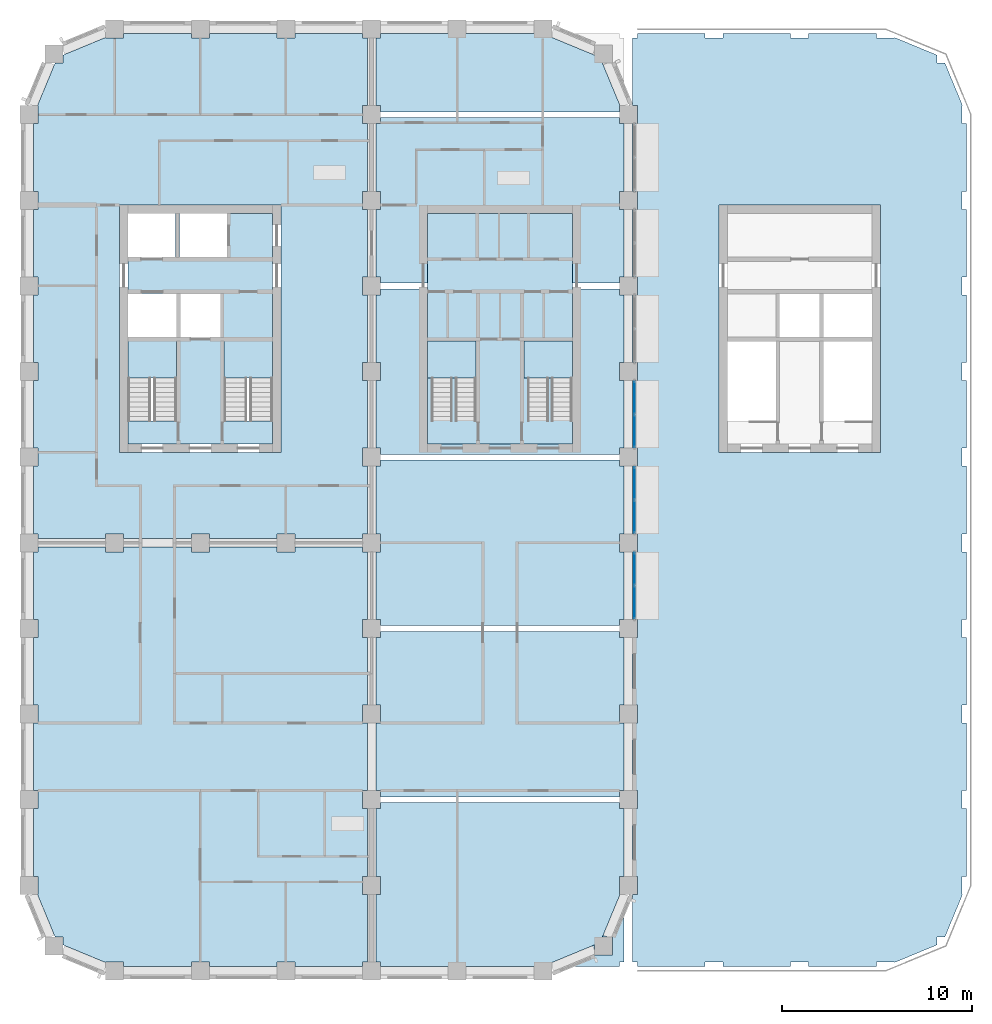
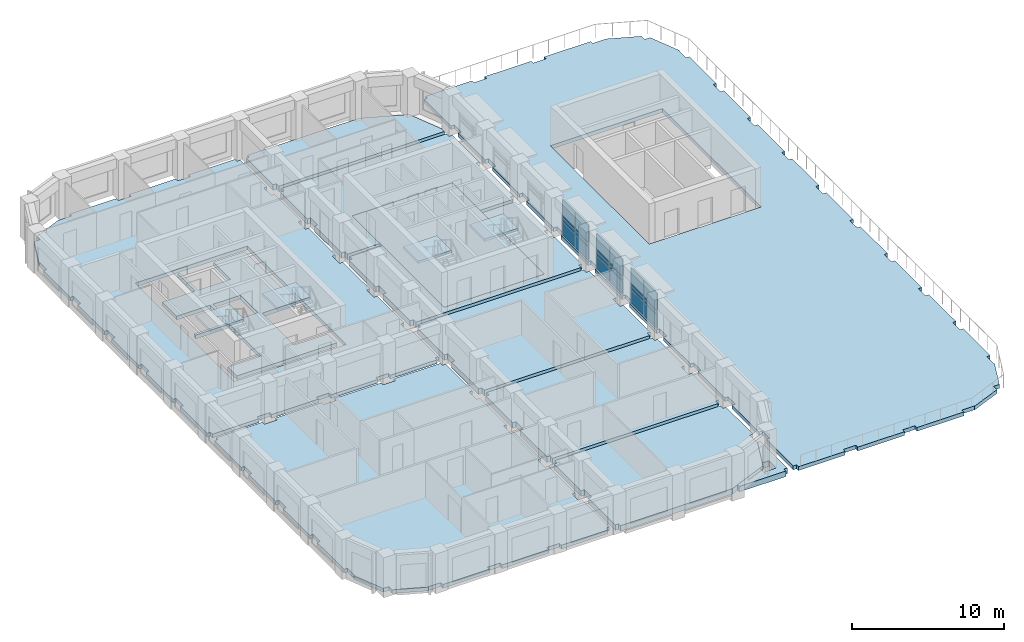
# One storey, part 5 of 15: 18 plates, 16 slabs, 7 elements without a shape of their own.
"""IFC4 building model written with IfcOpenShell, lengths in metres."""

from ifc_helpers import new_model, si_unit, direction, frame, origin, origin_2d, place, context, subcontext, project, spatial, polyline, rectangle, outline, extrude, material, layer, layer_set, type_object, element, aggregate, save


model = new_model("IFC4")

# Units and contexts
model_context = context("Model", 3, precision=1e-05, world=origin(), true_north=direction((0.0, 1.0)))
body_context = subcontext(model_context, "Body", "Model", "MODEL_VIEW")
ifc_project = project(units=[si_unit("LENGTHUNIT", "METRE"), si_unit("AREAUNIT", "SQUARE_METRE"), si_unit("VOLUMEUNIT", "CUBIC_METRE"), si_unit("PLANEANGLEUNIT", "RADIAN"), si_unit("MASSUNIT", "GRAM", prefix="KILO")], contexts=[model_context])

# Site, building, storey
site_placement = place(None, origin())
site = spatial("IfcSite", under=ifc_project, at=site_placement, CompositionType="ELEMENT")
building_placement = place(site_placement, origin())
building = spatial("IfcBuilding", under=site, at=building_placement, Name="Girih Gate Residences", CompositionType="ELEMENT")
storey_placement = place(building_placement, frame((0.0, 0.0, 176.300048828125)))
storey = spatial("IfcBuildingStorey", under=building, at=storey_placement, Name="L48", CompositionType="ELEMENT", Elevation=176.300048828125)

# Slabs
ifc_material_1 = material(Name="Concrete C40/50", Category="concrete")
ifc_layer_1 = layer(ifc_material_1, 0.300048828125)
ifc_layer_set_1 = layer_set([ifc_layer_1], Name="Core floor slab 300")
slab_type_1 = type_object("IfcSlabType", Name="Core floor slab 300", PredefinedType="FLOOR", material=ifc_layer_set_1)
slab_1_placement = place(storey_placement, frame((0.0, 0.0, -0.300048828125)))
element("IfcSlab", 1, at=slab_1_placement, inside=storey, type_object=slab_type_1, Name="L48 W core floor", PredefinedType="FLOOR", context=body_context, shape_type="SweptSolid", body=[
    extrude(outline(polyline([(12.800048828125, 27.699951171875), (5.199951171875, 27.699951171875), (5.199951171875, 28.900634765625), (7.75, 28.900634765625), (7.75, 33.10009765625), (5.199951171875, 33.10009765625), (5.199951171875, 33.300048828125), (7.75, 33.300048828125), (7.75, 35.60009765625), (5.199951171875, 35.60009765625), (5.199951171875, 37.5), (7.699951171875, 37.5), (7.699951171875, 39.800048828125), (7.89990234375, 39.800048828125), (7.89990234375, 37.5), (10.39990234375, 37.5), (10.39990234375, 39.800048828125), (12.800048828125, 39.800048828125), (12.800048828125, 33.10009765625), (10.25, 33.10009765625), (10.25, 28.900634765625), (12.800048828125, 28.900634765625), (12.800048828125, 27.699951171875)]), holes=[polyline([(7.949951171875, 33.300048828125), (10.050048828125, 33.300048828125), (10.050048828125, 35.60009765625), (7.949951171875, 35.60009765625), (7.949951171875, 33.300048828125)])]), origin(), (0.0, 0.0, 1.0), 0.300048828125),
])
slab_2_placement = place(storey_placement, frame((0.0, 0.0, -0.300048828125)))
element("IfcSlab", 2, at=slab_2_placement, inside=storey, type_object=slab_type_1, Name="L48 C core floor", PredefinedType="FLOOR", context=body_context, shape_type="SweptSolid", body=[
    extrude(outline(polyline([(20.949951171875, 27.699951171875), (20.949951171875, 39.800048828125), (28.550048828125, 39.800048828125), (28.550048828125, 27.699951171875), (20.949951171875, 27.699951171875)])), origin(), (0.0, 0.0, 1.0), 0.300048828125),
])

# Curtain wall, plates
ifc_material_2 = material(Name="Aluminium curtain wall frame", Category="aluminium")
curtain_wall_type = type_object("IfcCurtainWallType", Name="Curtain wall CW-3 sky lounge glazing", PredefinedType="NOTDEFINED", material=ifc_material_2)
curtain_wall_1_placement = place(storey_placement, origin())
curtain_wall_1 = element("IfcCurtainWall", 3, at=curtain_wall_1_placement, inside=storey, type_object=curtain_wall_type, Name="CW-3 Sky lounge glazing E0315_0045.3", PredefinedType="NOTDEFINED")
ifc_material_3 = material(Name="Triple glazed unit")
ifc_layer_2 = layer(ifc_material_3, 0.0439453125)
ifc_layer_set_2 = layer_set([ifc_layer_2], Name="Curtain wall glass panel 44")
plate_type = type_object("IfcPlateType", Name="Curtain wall glass panel 44", PredefinedType="CURTAIN_PANEL", material=ifc_layer_set_2)
plate_1_placement = place(storey_placement, frame((31.81494140625, 19.37744140625, 0.059814453125), z_axis=(0.0, 0.0, 1.0), x_axis=(0.0, 1.0, 0.0)))
plate_1 = element("IfcPlate", 4, at=plate_1_placement, type_object=plate_type, Name="CW-3 panel 1.1", PredefinedType="CURTAIN_PANEL", context=body_context, shape_type="SweptSolid", body=[
    extrude(rectangle(XDim=1.68505859375, YDim=0.028076171875, at=origin_2d()), origin(), (0.0, 0.0, 1.0), 1.06005859375),
])
plate_2_placement = place(storey_placement, frame((31.81494140625, 19.37744140625, 1.18017578125), z_axis=(0.0, 0.0, 1.0), x_axis=(0.0, 1.0, 0.0)))
plate_2 = element("IfcPlate", 5, at=plate_2_placement, type_object=plate_type, Name="CW-3 panel 1.2", PredefinedType="CURTAIN_PANEL", context=body_context, shape_type="SweptSolid", body=[
    extrude(rectangle(XDim=1.68505859375, YDim=0.028076171875, at=origin_2d()), origin(), (0.0, 0.0, 1.0), 0.264892578125),
])
plate_3_placement = place(storey_placement, frame((31.81494140625, 19.37744140625, 1.5048828125), z_axis=(0.0, 0.0, 1.0), x_axis=(0.0, 1.0, 0.0)))
plate_3 = element("IfcPlate", 6, at=plate_3_placement, type_object=plate_type, Name="CW-3 panel 1.3", PredefinedType="CURTAIN_PANEL", context=body_context, shape_type="SweptSolid", body=[
    extrude(rectangle(XDim=1.68505859375, YDim=0.028076171875, at=origin_2d()), origin(), (0.0, 0.0, 1.0), 1.385009765625),
])
plate_4_placement = place(storey_placement, frame((31.81494140625, 21.12255859375, 0.059814453125), z_axis=(0.0, 0.0, 1.0), x_axis=(0.0, 1.0, 0.0)))
plate_4 = element("IfcPlate", 7, at=plate_4_placement, type_object=plate_type, Name="CW-3 panel 2.1", PredefinedType="CURTAIN_PANEL", context=body_context, shape_type="SweptSolid", body=[
    extrude(rectangle(XDim=1.68505859375, YDim=0.028076171875, at=origin_2d()), origin(), (0.0, 0.0, 1.0), 1.06005859375),
])
plate_5_placement = place(storey_placement, frame((31.81494140625, 21.12255859375, 1.18017578125), z_axis=(0.0, 0.0, 1.0), x_axis=(0.0, 1.0, 0.0)))
plate_5 = element("IfcPlate", 8, at=plate_5_placement, type_object=plate_type, Name="CW-3 panel 2.2", PredefinedType="CURTAIN_PANEL", context=body_context, shape_type="SweptSolid", body=[
    extrude(rectangle(XDim=1.68505859375, YDim=0.028076171875, at=origin_2d()), origin(), (0.0, 0.0, 1.0), 0.264892578125),
])
plate_6_placement = place(storey_placement, frame((31.81494140625, 21.12255859375, 1.5048828125), z_axis=(0.0, 0.0, 1.0), x_axis=(0.0, 1.0, 0.0)))
plate_6 = element("IfcPlate", 9, at=plate_6_placement, type_object=plate_type, Name="CW-3 panel 2.3", PredefinedType="CURTAIN_PANEL", context=body_context, shape_type="SweptSolid", body=[
    extrude(rectangle(XDim=1.68505859375, YDim=0.028076171875, at=origin_2d()), origin(), (0.0, 0.0, 1.0), 1.385009765625),
])
aggregate(curtain_wall_1, [plate_1, plate_2, plate_3, plate_4, plate_5, plate_6])

curtain_wall_2_placement = place(storey_placement, origin())
curtain_wall_2 = element("IfcCurtainWall", 10, at=curtain_wall_2_placement, inside=storey, type_object=curtain_wall_type, Name="CW-3 Sky lounge glazing E0315_0045.4", PredefinedType="NOTDEFINED")
plate_7_placement = place(storey_placement, frame((31.81494140625, 23.87744140625, 0.059814453125), z_axis=(0.0, 0.0, 1.0), x_axis=(0.0, 1.0, 0.0)))
plate_7 = element("IfcPlate", 11, at=plate_7_placement, type_object=plate_type, Name="CW-3 panel 1.1", PredefinedType="CURTAIN_PANEL", context=body_context, shape_type="SweptSolid", body=[
    extrude(rectangle(XDim=1.68505859375, YDim=0.028076171875, at=origin_2d()), origin(), (0.0, 0.0, 1.0), 1.06005859375),
])
plate_8_placement = place(storey_placement, frame((31.81494140625, 23.87744140625, 1.18017578125), z_axis=(0.0, 0.0, 1.0), x_axis=(0.0, 1.0, 0.0)))
plate_8 = element("IfcPlate", 12, at=plate_8_placement, type_object=plate_type, Name="CW-3 panel 1.2", PredefinedType="CURTAIN_PANEL", context=body_context, shape_type="SweptSolid", body=[
    extrude(rectangle(XDim=1.68505859375, YDim=0.028076171875, at=origin_2d()), origin(), (0.0, 0.0, 1.0), 0.264892578125),
])
plate_9_placement = place(storey_placement, frame((31.81494140625, 23.87744140625, 1.5048828125), z_axis=(0.0, 0.0, 1.0), x_axis=(0.0, 1.0, 0.0)))
plate_9 = element("IfcPlate", 13, at=plate_9_placement, type_object=plate_type, Name="CW-3 panel 1.3", PredefinedType="CURTAIN_PANEL", context=body_context, shape_type="SweptSolid", body=[
    extrude(rectangle(XDim=1.68505859375, YDim=0.028076171875, at=origin_2d()), origin(), (0.0, 0.0, 1.0), 1.385009765625),
])
plate_10_placement = place(storey_placement, frame((31.81494140625, 25.62255859375, 0.059814453125), z_axis=(0.0, 0.0, 1.0), x_axis=(0.0, 1.0, 0.0)))
plate_10 = element("IfcPlate", 14, at=plate_10_placement, type_object=plate_type, Name="CW-3 panel 2.1", PredefinedType="CURTAIN_PANEL", context=body_context, shape_type="SweptSolid", body=[
    extrude(rectangle(XDim=1.68505859375, YDim=0.028076171875, at=origin_2d()), origin(), (0.0, 0.0, 1.0), 1.06005859375),
])
plate_11_placement = place(storey_placement, frame((31.81494140625, 25.62255859375, 1.18017578125), z_axis=(0.0, 0.0, 1.0), x_axis=(0.0, 1.0, 0.0)))
plate_11 = element("IfcPlate", 15, at=plate_11_placement, type_object=plate_type, Name="CW-3 panel 2.2", PredefinedType="CURTAIN_PANEL", context=body_context, shape_type="SweptSolid", body=[
    extrude(rectangle(XDim=1.68505859375, YDim=0.028076171875, at=origin_2d()), origin(), (0.0, 0.0, 1.0), 0.264892578125),
])
plate_12_placement = place(storey_placement, frame((31.81494140625, 25.62255859375, 1.5048828125), z_axis=(0.0, 0.0, 1.0), x_axis=(0.0, 1.0, 0.0)))
plate_12 = element("IfcPlate", 16, at=plate_12_placement, type_object=plate_type, Name="CW-3 panel 2.3", PredefinedType="CURTAIN_PANEL", context=body_context, shape_type="SweptSolid", body=[
    extrude(rectangle(XDim=1.68505859375, YDim=0.028076171875, at=origin_2d()), origin(), (0.0, 0.0, 1.0), 1.385009765625),
])
aggregate(curtain_wall_2, [plate_7, plate_8, plate_9, plate_10, plate_11, plate_12])

curtain_wall_3_placement = place(storey_placement, origin())
curtain_wall_3 = element("IfcCurtainWall", 17, at=curtain_wall_3_placement, inside=storey, type_object=curtain_wall_type, Name="CW-3 Sky lounge glazing E0315_0045.5", PredefinedType="NOTDEFINED")
plate_13_placement = place(storey_placement, frame((31.81494140625, 28.37744140625, 0.059814453125), z_axis=(0.0, 0.0, 1.0), x_axis=(0.0, 1.0, 0.0)))
plate_13 = element("IfcPlate", 18, at=plate_13_placement, type_object=plate_type, Name="CW-3 panel 1.1", PredefinedType="CURTAIN_PANEL", context=body_context, shape_type="SweptSolid", body=[
    extrude(rectangle(XDim=1.68505859375, YDim=0.028076171875, at=origin_2d()), origin(), (0.0, 0.0, 1.0), 1.06005859375),
])
plate_14_placement = place(storey_placement, frame((31.81494140625, 28.37744140625, 1.18017578125), z_axis=(0.0, 0.0, 1.0), x_axis=(0.0, 1.0, 0.0)))
plate_14 = element("IfcPlate", 19, at=plate_14_placement, type_object=plate_type, Name="CW-3 panel 1.2", PredefinedType="CURTAIN_PANEL", context=body_context, shape_type="SweptSolid", body=[
    extrude(rectangle(XDim=1.68505859375, YDim=0.028076171875, at=origin_2d()), origin(), (0.0, 0.0, 1.0), 0.264892578125),
])
plate_15_placement = place(storey_placement, frame((31.81494140625, 28.37744140625, 1.5048828125), z_axis=(0.0, 0.0, 1.0), x_axis=(0.0, 1.0, 0.0)))
plate_15 = element("IfcPlate", 20, at=plate_15_placement, type_object=plate_type, Name="CW-3 panel 1.3", PredefinedType="CURTAIN_PANEL", context=body_context, shape_type="SweptSolid", body=[
    extrude(rectangle(XDim=1.68505859375, YDim=0.028076171875, at=origin_2d()), origin(), (0.0, 0.0, 1.0), 1.385009765625),
])
plate_16_placement = place(storey_placement, frame((31.81494140625, 30.12255859375, 0.059814453125), z_axis=(0.0, 0.0, 1.0), x_axis=(0.0, 1.0, 0.0)))
plate_16 = element("IfcPlate", 21, at=plate_16_placement, type_object=plate_type, Name="CW-3 panel 2.1", PredefinedType="CURTAIN_PANEL", context=body_context, shape_type="SweptSolid", body=[
    extrude(rectangle(XDim=1.68505859375, YDim=0.028076171875, at=origin_2d()), origin(), (0.0, 0.0, 1.0), 1.06005859375),
])
plate_17_placement = place(storey_placement, frame((31.81494140625, 30.12255859375, 1.18017578125), z_axis=(0.0, 0.0, 1.0), x_axis=(0.0, 1.0, 0.0)))
plate_17 = element("IfcPlate", 22, at=plate_17_placement, type_object=plate_type, Name="CW-3 panel 2.2", PredefinedType="CURTAIN_PANEL", context=body_context, shape_type="SweptSolid", body=[
    extrude(rectangle(XDim=1.68505859375, YDim=0.028076171875, at=origin_2d()), origin(), (0.0, 0.0, 1.0), 0.264892578125),
])
plate_18_placement = place(storey_placement, frame((31.81494140625, 30.12255859375, 1.5048828125), z_axis=(0.0, 0.0, 1.0), x_axis=(0.0, 1.0, 0.0)))
plate_18 = element("IfcPlate", 23, at=plate_18_placement, type_object=plate_type, Name="CW-3 panel 2.3", PredefinedType="CURTAIN_PANEL", context=body_context, shape_type="SweptSolid", body=[
    extrude(rectangle(XDim=1.68505859375, YDim=0.028076171875, at=origin_2d()), origin(), (0.0, 0.0, 1.0), 1.385009765625),
])
aggregate(curtain_wall_3, [plate_13, plate_14, plate_15, plate_16, plate_17, plate_18])

# Slabs
ifc_layer_3 = layer(ifc_material_1, 0.300048828125)
ifc_layer_set_3 = layer_set([ifc_layer_3], Name="Floor slab PT 300 Concrete C40/50")
slab_type_2 = type_object("IfcSlabType", Name="Floor slab PT 300 Concrete C40/50", PredefinedType="FLOOR", material=ifc_layer_set_3)
slab_3_placement = place(storey_placement, frame((0.0, 0.0, -0.300048828125)))
element("IfcSlab", 24, at=slab_3_placement, inside=storey, type_object=slab_type_2, Name="Floor slab L48 1", PredefinedType="FLOOR", context=body_context, shape_type="SweptSolid", body=[
    extrude(outline(polyline([(13.97509765625, 0.22509765625), (17.52490234375, 0.22509765625), (17.52490234375, 0.47509765625), (17.77490234375, 0.47509765625), (17.77490234375, 4.02490234375), (17.52490234375, 4.02490234375), (17.52490234375, 4.97509765625), (17.77490234375, 4.97509765625), (17.77490234375, 8.52490234375), (17.52490234375, 8.52490234375), (17.52490234375, 9.47509765625), (17.77490234375, 9.47509765625), (17.77490234375, 13.02490234375), (17.52490234375, 13.02490234375), (17.52490234375, 13.97509765625), (17.77490234375, 13.97509765625), (17.77490234375, 17.52490234375), (17.52490234375, 17.52490234375), (17.52490234375, 18.47509765625), (17.77490234375, 18.47509765625), (17.77490234375, 22.02490234375), (17.52490234375, 22.02490234375), (17.52490234375, 22.27490234375), (13.97509765625, 22.27490234375), (13.97509765625, 22.02490234375), (13.02490234375, 22.02490234375), (13.02490234375, 22.27490234375), (9.47509765625, 22.27490234375), (9.47509765625, 22.02490234375), (8.52490234375, 22.02490234375), (8.52490234375, 22.27490234375), (4.97509765625, 22.27490234375), (4.97509765625, 22.02490234375), (4.02490234375, 22.02490234375), (4.02490234375, 22.27490234375), (0.47509765625, 22.27490234375), (0.47509765625, 22.02490234375), (0.22509765625, 22.02490234375), (0.22509765625, 18.47509765625), (0.47509765625, 18.47509765625), (0.47509765625, 17.52490234375), (0.22509765625, 17.52490234375), (0.22509765625, 13.97509765625), (0.47509765625, 13.97509765625), (0.47509765625, 13.02490234375), (0.22509765625, 13.02490234375), (0.22509765625, 9.47509765625), (0.47509765625, 9.47509765625), (0.47509765625, 8.52490234375), (0.22509765625, 8.52490234375), (0.22509765625, 4.97509765625), (0.47509765625, 4.97509765625), (0.47509765625, 4.02490234375), (0.440185546875, 4.02490234375), (1.36474609375, 1.79296875), (1.79296875, 1.79296875), (1.79296875, 1.36474609375), (4.02490234375, 0.440185546875), (4.02490234375, 0.47509765625), (4.97509765625, 0.47509765625), (4.97509765625, 0.22509765625), (8.52490234375, 0.22509765625), (8.52490234375, 0.47509765625), (9.47509765625, 0.47509765625), (9.47509765625, 0.22509765625), (13.02490234375, 0.22509765625), (13.02490234375, 0.47509765625), (13.97509765625, 0.47509765625), (13.97509765625, 0.22509765625)])), origin(), (0.0, 0.0, 1.0), 0.300048828125),
])
slab_4_placement = place(storey_placement, frame((0.0, 0.0, -0.300048828125)))
element("IfcSlab", 25, at=slab_4_placement, inside=storey, type_object=slab_type_2, Name="Floor slab L48 5", PredefinedType="FLOOR", context=body_context, shape_type="SweptSolid", body=[
    extrude(outline(polyline([(0.22509765625, 26.52490234375), (0.22509765625, 22.97509765625), (0.47509765625, 22.97509765625), (0.47509765625, 22.72509765625), (4.02490234375, 22.72509765625), (4.02490234375, 22.97509765625), (4.97509765625, 22.97509765625), (4.97509765625, 22.72509765625), (8.52490234375, 22.72509765625), (8.52490234375, 22.97509765625), (9.47509765625, 22.97509765625), (9.47509765625, 22.72509765625), (13.02490234375, 22.72509765625), (13.02490234375, 22.97509765625), (13.97509765625, 22.97509765625), (13.97509765625, 22.72509765625), (17.52490234375, 22.72509765625), (17.52490234375, 22.97509765625), (17.77490234375, 22.97509765625), (17.77490234375, 26.52490234375), (17.52490234375, 26.52490234375), (17.52490234375, 27.47509765625), (17.77490234375, 27.47509765625), (17.77490234375, 31.02490234375), (17.52490234375, 31.02490234375), (17.52490234375, 31.97509765625), (17.77490234375, 31.97509765625), (17.77490234375, 35.52490234375), (17.52490234375, 35.52490234375), (17.52490234375, 36.47509765625), (17.77490234375, 36.47509765625), (17.77490234375, 40.02490234375), (17.52490234375, 40.02490234375), (17.52490234375, 40.97509765625), (17.77490234375, 40.97509765625), (17.77490234375, 44.52490234375), (17.52490234375, 44.52490234375), (17.52490234375, 45.47509765625), (17.77490234375, 45.47509765625), (17.77490234375, 49.02490234375), (17.52490234375, 49.02490234375), (17.52490234375, 49.27490234375), (13.97509765625, 49.27490234375), (13.97509765625, 49.02490234375), (13.02490234375, 49.02490234375), (13.02490234375, 49.27490234375), (9.47509765625, 49.27490234375), (9.47509765625, 49.02490234375), (8.52490234375, 49.02490234375), (8.52490234375, 49.27490234375), (4.97509765625, 49.27490234375), (4.97509765625, 49.02490234375), (4.02490234375, 49.02490234375), (4.02490234375, 49.059814453125), (1.79296875, 48.13525390625), (1.79296875, 47.70703125), (1.36474609375, 47.70703125), (0.440185546875, 45.47509765625), (0.47509765625, 45.47509765625), (0.47509765625, 44.52490234375), (0.22509765625, 44.52490234375), (0.22509765625, 40.97509765625), (0.47509765625, 40.97509765625), (0.47509765625, 40.02490234375), (0.22509765625, 40.02490234375), (0.22509765625, 36.47509765625), (0.47509765625, 36.47509765625), (0.47509765625, 35.52490234375), (0.22509765625, 35.52490234375), (0.22509765625, 31.97509765625), (0.47509765625, 31.97509765625), (0.47509765625, 31.02490234375), (0.22509765625, 31.02490234375), (0.22509765625, 27.47509765625), (0.47509765625, 27.47509765625), (0.47509765625, 26.52490234375), (0.22509765625, 26.52490234375)]), holes=[polyline([(13.25, 27.25), (4.75, 27.25), (4.75, 40.25), (13.25, 40.25), (13.25, 27.25)])]), origin(), (0.0, 0.0, 1.0), 0.300048828125),
])
ifc_layer_4 = layer(ifc_material_1, 0.449951171875)
ifc_layer_set_4 = layer_set([ifc_layer_4], Name="Floor slab PT 450 Concrete C40/50")
slab_type_3 = type_object("IfcSlabType", Name="Floor slab PT 450 Concrete C40/50", PredefinedType="FLOOR", material=ifc_layer_set_4)
slab_5_placement = place(storey_placement, frame((0.0, 0.0, -0.449951171875)))
element("IfcSlab", 26, at=slab_5_placement, inside=storey, type_object=slab_type_3, Name="Floor slab L48 0", PredefinedType="FLOOR", context=body_context, shape_type="SweptSolid", body=[
    extrude(outline(polyline([(18.47509765625, 0.22509765625), (26.955322265625, 0.22509765625), (30.009765625, 1.490234375), (31.059814453125, 4.02490234375), (31.02490234375, 4.02490234375), (31.02490234375, 4.97509765625), (31.27490234375, 4.97509765625), (31.27490234375, 8.52490234375), (31.02490234375, 8.52490234375), (31.02490234375, 8.85009765625), (18.47509765625, 8.85009765625), (18.47509765625, 8.52490234375), (18.22509765625, 8.52490234375), (18.22509765625, 4.97509765625), (18.47509765625, 4.97509765625), (18.47509765625, 4.02490234375), (18.22509765625, 4.02490234375), (18.22509765625, 0.47509765625), (18.47509765625, 0.47509765625), (18.47509765625, 0.22509765625)])), origin(), (0.0, 0.0, 1.0), 0.449951171875),
])
slab_6_placement = place(storey_placement, frame((0.0, 0.0, -0.449951171875)))
element("IfcSlab", 27, at=slab_6_placement, inside=storey, type_object=slab_type_3, Name="Floor slab L48 2", PredefinedType="FLOOR", context=body_context, shape_type="SweptSolid", body=[
    extrude(outline(polyline([(31.27490234375, 13.97509765625), (31.27490234375, 17.52490234375), (31.02490234375, 17.52490234375), (31.02490234375, 17.85009765625), (18.47509765625, 17.85009765625), (18.47509765625, 17.52490234375), (18.22509765625, 17.52490234375), (18.22509765625, 13.97509765625), (18.47509765625, 13.97509765625), (18.47509765625, 13.02490234375), (18.22509765625, 13.02490234375), (18.22509765625, 9.47509765625), (18.47509765625, 9.47509765625), (18.47509765625, 9.14990234375), (31.02490234375, 9.14990234375), (31.02490234375, 9.47509765625), (31.27490234375, 9.47509765625), (31.27490234375, 13.02490234375), (31.02490234375, 13.02490234375), (31.02490234375, 13.97509765625), (31.27490234375, 13.97509765625)])), origin(), (0.0, 0.0, 1.0), 0.449951171875),
])
slab_7_placement = place(storey_placement, frame((0.0, 0.0, -0.449951171875)))
element("IfcSlab", 28, at=slab_7_placement, inside=storey, type_object=slab_type_3, Name="Floor slab L48 3", PredefinedType="FLOOR", context=body_context, shape_type="SweptSolid", body=[
    extrude(outline(polyline([(31.27490234375, 22.97509765625), (31.27490234375, 26.52490234375), (31.02490234375, 26.52490234375), (31.02490234375, 26.85009765625), (18.47509765625, 26.85009765625), (18.47509765625, 26.52490234375), (18.22509765625, 26.52490234375), (18.22509765625, 22.97509765625), (18.47509765625, 22.97509765625), (18.47509765625, 22.02490234375), (18.22509765625, 22.02490234375), (18.22509765625, 18.47509765625), (18.47509765625, 18.47509765625), (18.47509765625, 18.14990234375), (31.02490234375, 18.14990234375), (31.02490234375, 18.47509765625), (31.27490234375, 18.47509765625), (31.27490234375, 22.02490234375), (31.02490234375, 22.02490234375), (31.02490234375, 22.97509765625), (31.27490234375, 22.97509765625)])), origin(), (0.0, 0.0, 1.0), 0.449951171875),
])
slab_8_placement = place(storey_placement, frame((0.0, 0.0, -0.449951171875)))
element("IfcSlab", 29, at=slab_8_placement, inside=storey, type_object=slab_type_3, Name="Floor slab L48 4", PredefinedType="FLOOR", context=body_context, shape_type="SweptSolid", body=[
    extrude(outline(polyline([(31.27490234375, 31.97509765625), (31.27490234375, 35.52490234375), (31.02490234375, 35.52490234375), (31.02490234375, 35.85009765625), (28.550048828125, 35.85009765625), (28.550048828125, 27.699951171875), (20.949951171875, 27.699951171875), (20.949951171875, 35.85009765625), (18.47509765625, 35.85009765625), (18.47509765625, 35.52490234375), (18.22509765625, 35.52490234375), (18.22509765625, 31.97509765625), (18.47509765625, 31.97509765625), (18.47509765625, 31.02490234375), (18.22509765625, 31.02490234375), (18.22509765625, 27.47509765625), (18.47509765625, 27.47509765625), (18.47509765625, 27.14990234375), (31.02490234375, 27.14990234375), (31.02490234375, 27.47509765625), (31.27490234375, 27.47509765625), (31.27490234375, 31.02490234375), (31.02490234375, 31.02490234375), (31.02490234375, 31.97509765625), (31.27490234375, 31.97509765625)])), origin(), (0.0, 0.0, 1.0), 0.449951171875),
])
slab_9_placement = place(storey_placement, frame((0.0, 0.0, -0.449951171875)))
element("IfcSlab", 30, at=slab_9_placement, inside=storey, type_object=slab_type_3, Name="Floor slab L48 6", PredefinedType="FLOOR", context=body_context, shape_type="SweptSolid", body=[
    extrude(outline(polyline([(31.27490234375, 40.97509765625), (31.27490234375, 44.52490234375), (31.02490234375, 44.52490234375), (31.02490234375, 44.85009765625), (18.47509765625, 44.85009765625), (18.47509765625, 44.52490234375), (18.22509765625, 44.52490234375), (18.22509765625, 40.97509765625), (18.47509765625, 40.97509765625), (18.47509765625, 40.02490234375), (18.22509765625, 40.02490234375), (18.22509765625, 36.47509765625), (18.47509765625, 36.47509765625), (18.47509765625, 36.14990234375), (20.949951171875, 36.14990234375), (20.949951171875, 39.800048828125), (28.550048828125, 39.800048828125), (28.550048828125, 36.14990234375), (31.02490234375, 36.14990234375), (31.02490234375, 36.47509765625), (31.27490234375, 36.47509765625), (31.27490234375, 40.02490234375), (31.02490234375, 40.02490234375), (31.02490234375, 40.97509765625), (31.27490234375, 40.97509765625)])), origin(), (0.0, 0.0, 1.0), 0.449951171875),
])
slab_10_placement = place(storey_placement, frame((0.0, 0.0, -0.449951171875)))
element("IfcSlab", 31, at=slab_10_placement, inside=storey, type_object=slab_type_3, Name="Floor slab L48 7", PredefinedType="FLOOR", context=body_context, shape_type="SweptSolid", body=[
    extrude(outline(polyline([(26.955322265625, 49.27490234375), (18.47509765625, 49.27490234375), (18.47509765625, 49.02490234375), (18.22509765625, 49.02490234375), (18.22509765625, 45.47509765625), (18.47509765625, 45.47509765625), (18.47509765625, 45.14990234375), (31.02490234375, 45.14990234375), (31.02490234375, 45.47509765625), (31.059814453125, 45.47509765625), (30.009765625, 48.009765625), (26.955322265625, 49.27490234375)])), origin(), (0.0, 0.0, 1.0), 0.449951171875),
])

# Stair, slab
stair_type_1 = type_object("IfcStairType", Name="Exit stair", PredefinedType="HALF_TURN_STAIR", material=ifc_material_1)
stair_1_placement = place(storey_placement, origin())
stair_1 = element("IfcStair", 32, at=stair_1_placement, inside=storey, type_object=stair_type_1, Name="L48 Exit Stair ST-W1", PredefinedType="HALF_TURN_STAIR")
ifc_layer_5 = layer(ifc_material_1, 0.199951171875)
ifc_layer_set_5 = layer_set([ifc_layer_5], Name="Stair landing 200")
slab_type_4 = type_object("IfcSlabType", Name="Stair landing 200", PredefinedType="LANDING", material=ifc_layer_set_5)
slab_11_placement = place(storey_placement, frame((0.0, 0.0, 1.39990234375)))
slab_11 = element("IfcSlab", 33, at=slab_11_placement, type_object=slab_type_4, Name="ST-W1 landing 1", PredefinedType="LANDING", context=body_context, shape_type="SweptSolid", body=[
    extrude(outline(polyline([(7.75, 31.14990234375), (7.75, 33.10009765625), (5.199951171875, 33.10009765625), (5.199951171875, 31.14990234375), (7.75, 31.14990234375)])), origin(), (0.0, 0.0, 1.0), 0.199951171875),
])
aggregate(stair_1, [slab_11])

stair_2_placement = place(storey_placement, origin())
stair_2 = element("IfcStair", 34, at=stair_2_placement, inside=storey, type_object=stair_type_1, Name="L48 Exit Stair ST-W2", PredefinedType="HALF_TURN_STAIR")
slab_12_placement = place(storey_placement, frame((0.0, 0.0, 1.39990234375)))
slab_12 = element("IfcSlab", 35, at=slab_12_placement, type_object=slab_type_4, Name="ST-W2 landing 1", PredefinedType="LANDING", context=body_context, shape_type="SweptSolid", body=[
    extrude(outline(polyline([(12.800048828125, 31.14990234375), (12.800048828125, 33.10009765625), (10.25, 33.10009765625), (10.25, 31.14990234375), (12.800048828125, 31.14990234375)])), origin(), (0.0, 0.0, 1.0), 0.199951171875),
])
aggregate(stair_2, [slab_12])

stair_type_2 = type_object("IfcStairType", Name="Exit stair C core", PredefinedType="HALF_TURN_STAIR", material=ifc_material_1)
stair_3_placement = place(storey_placement, origin())
stair_3 = element("IfcStair", 36, at=stair_3_placement, inside=storey, type_object=stair_type_2, Name="L48 Exit Stair ST-C1", PredefinedType="HALF_TURN_STAIR")
slab_13_placement = place(storey_placement, frame((0.0, 0.0, 1.39990234375)))
slab_13 = element("IfcSlab", 37, at=slab_13_placement, type_object=slab_type_4, Name="ST-C1 landing 1", PredefinedType="LANDING", context=body_context, shape_type="SweptSolid", body=[
    extrude(outline(polyline([(23.5, 31.14990234375), (23.5, 33.10009765625), (20.949951171875, 33.10009765625), (20.949951171875, 31.14990234375), (23.5, 31.14990234375)])), origin(), (0.0, 0.0, 1.0), 0.199951171875),
])
aggregate(stair_3, [slab_13])

stair_4_placement = place(storey_placement, origin())
stair_4 = element("IfcStair", 38, at=stair_4_placement, inside=storey, type_object=stair_type_2, Name="L48 Exit Stair ST-C2", PredefinedType="HALF_TURN_STAIR")
slab_14_placement = place(storey_placement, frame((0.0, 0.0, 1.39990234375)))
slab_14 = element("IfcSlab", 39, at=slab_14_placement, type_object=slab_type_4, Name="ST-C2 landing 1", PredefinedType="LANDING", context=body_context, shape_type="SweptSolid", body=[
    extrude(outline(polyline([(28.550048828125, 31.14990234375), (28.550048828125, 33.10009765625), (26.0, 33.10009765625), (26.0, 31.14990234375), (28.550048828125, 31.14990234375)])), origin(), (0.0, 0.0, 1.0), 0.199951171875),
])
aggregate(stair_4, [slab_14])

# Slabs
ifc_layer_6 = layer(ifc_material_1, 0.300048828125)
ifc_layer_set_6 = layer_set([ifc_layer_6], Name="Terrace slab RC 300 Concrete C40/50")
slab_type_5 = type_object("IfcSlabType", Name="Terrace slab RC 300 Concrete C40/50", PredefinedType="FLOOR", material=ifc_layer_set_6)
slab_15_placement = place(storey_placement, frame((0.0, 0.0, -0.300048828125)))
element("IfcSlab", 40, at=slab_15_placement, inside=storey, type_object=slab_type_5, Name="Terrace slab L48 1", PredefinedType="FLOOR", context=body_context, shape_type="SweptSolid", body=[
    extrude(outline(polyline([(47.70703125, 47.70703125), (47.70703125, 48.13525390625), (45.47509765625, 49.059814453125), (45.47509765625, 49.02490234375), (44.52490234375, 49.02490234375), (44.52490234375, 49.27490234375), (40.97509765625, 49.27490234375), (40.97509765625, 49.02490234375), (40.02490234375, 49.02490234375), (40.02490234375, 49.27490234375), (36.47509765625, 49.27490234375), (36.47509765625, 49.02490234375), (35.52490234375, 49.02490234375), (35.52490234375, 49.27490234375), (31.97509765625, 49.27490234375), (31.97509765625, 49.02490234375), (31.72509765625, 49.02490234375), (31.72509765625, 45.47509765625), (31.97509765625, 45.47509765625), (31.97509765625, 44.52490234375), (31.72509765625, 44.52490234375), (31.72509765625, 40.97509765625), (31.97509765625, 40.97509765625), (31.97509765625, 40.02490234375), (31.72509765625, 40.02490234375), (31.72509765625, 36.47509765625), (31.97509765625, 36.47509765625), (31.97509765625, 35.52490234375), (31.72509765625, 35.52490234375), (31.72509765625, 31.97509765625), (31.97509765625, 31.97509765625), (31.97509765625, 31.02490234375), (31.72509765625, 31.02490234375), (31.72509765625, 27.47509765625), (31.97509765625, 27.47509765625), (31.97509765625, 26.52490234375), (31.72509765625, 26.52490234375), (31.72509765625, 22.97509765625), (31.97509765625, 22.97509765625), (31.97509765625, 22.02490234375), (31.72509765625, 22.02490234375), (31.72509765625, 18.47509765625), (31.97509765625, 18.47509765625), (31.97509765625, 17.52490234375), (31.72509765625, 17.52490234375), (31.72509765625, 13.97509765625), (31.97509765625, 13.97509765625), (31.97509765625, 13.02490234375), (31.72509765625, 13.02490234375), (31.72509765625, 9.47509765625), (31.97509765625, 9.47509765625), (31.97509765625, 8.52490234375), (31.72509765625, 8.52490234375), (31.72509765625, 4.97509765625), (31.97509765625, 4.97509765625), (31.97509765625, 4.02490234375), (31.72509765625, 4.02490234375), (31.72509765625, 0.47509765625), (31.97509765625, 0.47509765625), (31.97509765625, 0.22509765625), (35.52490234375, 0.22509765625), (35.52490234375, 0.47509765625), (36.47509765625, 0.47509765625), (36.47509765625, 0.22509765625), (40.02490234375, 0.22509765625), (40.02490234375, 0.47509765625), (40.97509765625, 0.47509765625), (40.97509765625, 0.22509765625), (44.52490234375, 0.22509765625), (44.52490234375, 0.47509765625), (45.47509765625, 0.47509765625), (45.47509765625, 0.440185546875), (47.70703125, 1.36474609375), (47.70703125, 1.79296875), (48.13525390625, 1.79296875), (49.059814453125, 4.02490234375), (49.02490234375, 4.02490234375), (49.02490234375, 4.97509765625), (49.27490234375, 4.97509765625), (49.27490234375, 8.52490234375), (49.02490234375, 8.52490234375), (49.02490234375, 9.47509765625), (49.27490234375, 9.47509765625), (49.27490234375, 13.02490234375), (49.02490234375, 13.02490234375), (49.02490234375, 13.97509765625), (49.27490234375, 13.97509765625), (49.27490234375, 17.52490234375), (49.02490234375, 17.52490234375), (49.02490234375, 18.47509765625), (49.27490234375, 18.47509765625), (49.27490234375, 22.02490234375), (49.02490234375, 22.02490234375), (49.02490234375, 22.97509765625), (49.27490234375, 22.97509765625), (49.27490234375, 26.52490234375), (49.02490234375, 26.52490234375), (49.02490234375, 27.47509765625), (49.27490234375, 27.47509765625), (49.27490234375, 31.02490234375), (49.02490234375, 31.02490234375), (49.02490234375, 31.97509765625), (49.27490234375, 31.97509765625), (49.27490234375, 35.52490234375), (49.02490234375, 35.52490234375), (49.02490234375, 36.47509765625), (49.27490234375, 36.47509765625), (49.27490234375, 40.02490234375), (49.02490234375, 40.02490234375), (49.02490234375, 40.97509765625), (49.27490234375, 40.97509765625), (49.27490234375, 44.52490234375), (49.02490234375, 44.52490234375), (49.02490234375, 45.47509765625), (49.059814453125, 45.47509765625), (48.13525390625, 47.70703125), (47.70703125, 47.70703125)]), holes=[polyline([(44.75, 27.25), (36.25, 27.25), (36.25, 40.25), (44.75, 40.25), (44.75, 27.25)])]), origin(), (0.0, 0.0, 1.0), 0.300048828125),
])
ifc_layer_7 = layer(ifc_material_1, 0.449951171875)
ifc_layer_set_7 = layer_set([ifc_layer_7], Name="Terrace slab RC 450 Concrete C40/50")
slab_type_6 = type_object("IfcSlabType", Name="Terrace slab RC 450 Concrete C40/50", PredefinedType="FLOOR", material=ifc_layer_set_7)
slab_16_placement = place(storey_placement, frame((0.0, 0.0, -0.449951171875)))
element("IfcSlab", 41, at=slab_16_placement, inside=storey, type_object=slab_type_6, Name="Terrace slab L48 0", PredefinedType="FLOOR", context=body_context, shape_type="SweptSolid", body=[
    extrude(outline(polyline([(27.47509765625, 0.440185546875), (27.47509765625, 0.22509765625), (31.02490234375, 0.22509765625), (31.02490234375, 0.47509765625), (31.27490234375, 0.47509765625), (31.27490234375, 4.02490234375), (31.059814453125, 4.02490234375), (30.13525390625, 1.79296875), (30.656982421875, 1.79296875), (30.656982421875, 0.843017578125), (29.70703125, 0.843017578125), (29.70703125, 1.36474609375), (27.47509765625, 0.440185546875)])), origin(), (0.0, 0.0, 1.0), 0.449951171875),
])

save(model, "model.ifc")
